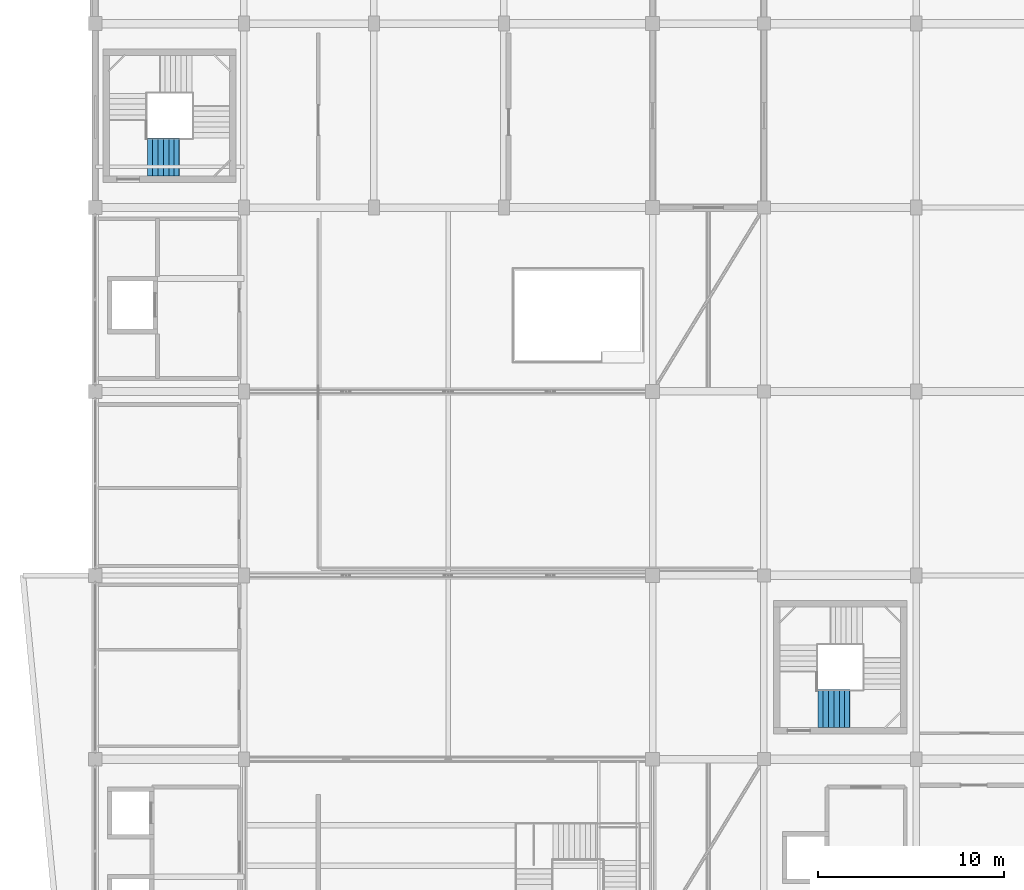
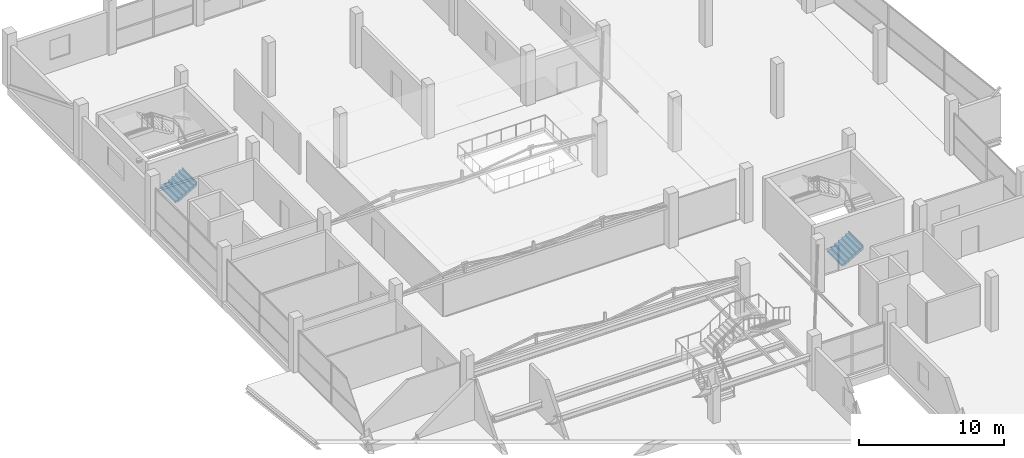
# One storey, part 50 of 55: 2 stair flights, 2 elements without a shape of their own.
"""IFC4 building model written with IfcOpenShell, lengths in metres."""

from ifc_helpers import new_model, si_unit, direction, frame, origin, place, context, subcontext, project, spatial, triangles, material, type_object, element, aggregate, save


model = new_model("IFC4")

# Units and contexts
model_context = context("Model", 3, precision=1e-05, world=origin(), true_north=direction((0.0, 1.0)))
body_context = subcontext(model_context, "Body", "Model", "MODEL_VIEW")
ifc_project = project(units=[si_unit("LENGTHUNIT", "METRE"), si_unit("AREAUNIT", "SQUARE_METRE"), si_unit("VOLUMEUNIT", "CUBIC_METRE"), si_unit("PLANEANGLEUNIT", "RADIAN"), si_unit("MASSUNIT", "GRAM", prefix="KILO")], contexts=[model_context])

# Site, building, storey
site_placement = place(None, origin())
site = spatial("IfcSite", under=ifc_project, at=site_placement, CompositionType="ELEMENT")
building_placement = place(site_placement, origin())
building = spatial("IfcBuilding", under=site, at=building_placement, Name="Sillaruma Civic Art Gallery", CompositionType="ELEMENT")
storey_placement = place(building_placement, frame((0.0, 0.0, 37.739990234375)))
storey = spatial("IfcBuildingStorey", under=building, at=storey_placement, Name="L07", CompositionType="ELEMENT", Elevation=37.739990234375)

# Stair, stair flight
ifc_material = material(Name="Concrete H35 (35 MPa)", Category="concrete")
stair_type = type_object("IfcStairType", Name="STR-4F-27", PredefinedType="USERDEFINED", material=ifc_material)
stair_1_placement = place(storey_placement, origin())
stair_1 = element("IfcStair", 1, at=stair_1_placement, inside=storey, type_object=stair_type, Name="Protected Exit Stair ST-02 (West Bar North) (L07)", ObjectType="THREE_RETURN_STAIR", PredefinedType="USERDEFINED")
stair_flight_type = type_object("IfcStairFlightType", Name="SFL-STR-7", PredefinedType="STRAIGHT", material=ifc_material)
stair_flight_1_placement = place(storey_placement, frame((64.800048828125, 81.929931640625, 0.0), z_axis=(0.0, 0.0, 1.0), x_axis=(1.0, 0.0, 0.0)))
stair_flight_1 = element("IfcStairFlight", 2, at=stair_flight_1_placement, type_object=stair_flight_type, Name="ST-02 flight 1", NumberOfRisers=7, NumberOfTreads=6, PredefinedType="STRAIGHT", RiserHeight=0.17, TreadLength=0.29, context=body_context, shape_type="Tessellation", body=[
    triangles([(0.0, -1.02001953125, 0.0), (0.29, -1.02001953125, 0.0), (0.296404, -1.02001953125, 0.0), (0.58, -1.02001953125, 0.166246), (0.87, -1.02001953125, 0.336246), (1.16, -1.02001953125, 0.506246), (1.45, -1.02001953125, 0.676246), (1.69999, -1.02001953125, 0.822792), (1.73999, -1.02001953125, 0.84624), (1.73999, -1.02001953125, 1.19), (1.69999, -1.02001953125, 1.19), (1.69999, -1.02001953125, 1.02), (1.45, -1.02001953125, 1.02), (1.45, -1.02001953125, 0.85), (1.16, -1.02001953125, 0.85), (1.16, -1.02001953125, 0.68), (0.87, -1.02001953125, 0.68), (0.87, -1.02001953125, 0.51), (0.58, -1.02001953125, 0.51), (0.58, -1.02001953125, 0.34), (0.296404, -1.02001953125, 0.34), (0.29, -1.02001953125, 0.34), (0.29, -1.02001953125, 0.17), (0.0, -1.02001953125, 0.17), (0.0, -0.05, 0.0), (0.29, -0.05, 0.0), (0.296404, -0.05, 0.0), (0.58, -0.05, 0.166246), (0.87, -0.05, 0.336246), (1.16, -0.05, 0.506246), (1.45, -0.05, 0.676246), (1.69999, -0.05, 0.822792), (1.73999, -0.05, 0.84624), (1.73999, -0.05, 1.19), (1.69999, -0.05, 1.19), (1.69999, -0.05, 1.02), (1.45, -0.05, 1.02), (1.45, -0.05, 0.85), (1.16, -0.05, 0.85), (1.16, -0.05, 0.68), (0.87, -0.05, 0.68), (0.87, -0.05, 0.51), (0.58, -0.05, 0.51), (0.58, -0.05, 0.34), (0.296404, -0.05, 0.34), (0.29, -0.05, 0.34), (0.29, -0.05, 0.17), (0.0, -0.05, 0.17), (0.0, -0.0375, 0.0), (0.29, -0.0375, 0.0), (0.296404, -0.0375, 0.0), (0.58, -0.0375, 0.166246), (0.87, -0.0375, 0.336246), (1.16, -0.0375, 0.506246), (1.45, -0.0375, 0.676246), (1.69999, -0.0375, 0.822792), (1.73999, -0.0375, 0.84624), (1.73999, -0.0375, 1.19), (1.69999, -0.0375, 1.19), (1.69999, -0.0375, 1.02), (1.45, -0.0375, 1.02), (1.45, -0.0375, 0.85), (1.16, -0.0375, 0.85), (1.16, -0.0375, 0.68), (0.87, -0.0375, 0.68), (0.87, -0.0375, 0.51), (0.58, -0.0375, 0.51), (0.58, -0.0375, 0.34), (0.296404, -0.0375, 0.34), (0.29, -0.0375, 0.34), (0.29, -0.0375, 0.17), (0.0, -0.0375, 0.17), (0.0, -0.025, 0.0), (0.29, -0.025, 0.0), (0.296404, -0.025, 0.0), (0.58, -0.025, 0.166246), (0.87, -0.025, 0.336246), (1.16, -0.025, 0.506246), (1.45, -0.025, 0.676246), (1.69999, -0.025, 0.822792), (1.73999, -0.025, 0.84624), (1.73999, -0.025, 1.19), (1.69999, -0.025, 1.19), (1.69999, -0.025, 1.02), (1.45, -0.025, 1.02), (1.45, -0.025, 0.85), (1.16, -0.025, 0.85), (1.16, -0.025, 0.68), (0.87, -0.025, 0.68), (0.87, -0.025, 0.51), (0.58, -0.025, 0.51), (0.58, -0.025, 0.34), (0.296404, -0.025, 0.34), (0.29, -0.025, 0.34), (0.29, -0.025, 0.17), (0.0, -0.025, 0.17), (0.0, -0.0125, 0.0), (0.29, -0.0125, 0.0), (0.296404, -0.0125, 0.0), (0.58, -0.0125, 0.166246), (0.87, -0.0125, 0.336246), (1.16, -0.0125, 0.506246), (1.45, -0.0125, 0.676246), (1.69999, -0.0125, 0.822792), (1.73999, -0.0125, 0.84624), (1.73999, -0.0125, 1.19), (1.69999, -0.0125, 1.19), (1.69999, -0.0125, 1.02), (1.45, -0.0125, 1.02), (1.45, -0.0125, 0.85), (1.16, -0.0125, 0.85), (1.16, -0.0125, 0.68), (0.87, -0.0125, 0.68), (0.87, -0.0125, 0.51), (0.58, -0.0125, 0.51), (0.58, -0.0125, 0.34), (0.296404, -0.0125, 0.34), (0.29, -0.0125, 0.34), (0.29, -0.0125, 0.17), (0.0, -0.0125, 0.17), (0.0, 0.0, 0.0), (0.29, 0.0, 0.0), (0.296404, 0.0, 0.0), (0.58, 0.0, 0.166246), (0.87, 0.0, 0.336246), (1.16, 0.0, 0.506246), (1.45, 0.0, 0.676246), (1.69999, 0.0, 0.822792), (1.73999, 0.0, 0.84624), (1.73999, 0.0, 1.19), (1.69999, 0.0, 1.19), (1.69999, 0.0, 1.02), (1.45, 0.0, 1.02), (1.45, 0.0, 0.85), (1.16, 0.0, 0.85), (1.16, 0.0, 0.68), (0.87, 0.0, 0.68), (0.87, 0.0, 0.51), (0.58, 0.0, 0.51), (0.58, 0.0, 0.34), (0.296404, 0.0, 0.34), (0.29, 0.0, 0.34), (0.29, 0.0, 0.17), (0.0, 0.0, 0.17), (0.0, 0.0125, 0.0), (0.29, 0.0125, 0.0), (0.296404, 0.0125, 0.0), (0.58, 0.0125, 0.166246), (0.87, 0.0125, 0.336246), (1.16, 0.0125, 0.506246), (1.45, 0.0125, 0.676246), (1.69999, 0.0125, 0.822792), (1.73999, 0.0125, 0.84624), (1.73999, 0.0125, 1.19), (1.69999, 0.0125, 1.19), (1.69999, 0.0125, 1.02), (1.45, 0.0125, 1.02), (1.45, 0.0125, 0.85), (1.16, 0.0125, 0.85), (1.16, 0.0125, 0.68), (0.87, 0.0125, 0.68), (0.87, 0.0125, 0.51), (0.58, 0.0125, 0.51), (0.58, 0.0125, 0.34), (0.296404, 0.0125, 0.34), (0.29, 0.0125, 0.34), (0.29, 0.0125, 0.17), (0.0, 0.0125, 0.17), (0.0, 0.025, 0.0), (0.29, 0.025, 0.0), (0.296404, 0.025, 0.0), (0.58, 0.025, 0.166246), (0.87, 0.025, 0.336246), (1.16, 0.025, 0.506246), (1.45, 0.025, 0.676246), (1.69999, 0.025, 0.822792), (1.73999, 0.025, 0.84624), (1.73999, 0.025, 1.19), (1.69999, 0.025, 1.19), (1.69999, 0.025, 1.02), (1.45, 0.025, 1.02), (1.45, 0.025, 0.85), (1.16, 0.025, 0.85), (1.16, 0.025, 0.68), (0.87, 0.025, 0.68), (0.87, 0.025, 0.51), (0.58, 0.025, 0.51), (0.58, 0.025, 0.34), (0.296404, 0.025, 0.34), (0.29, 0.025, 0.34), (0.29, 0.025, 0.17), (0.0, 0.025, 0.17), (0.0, 0.0375, 0.0), (0.29, 0.0375, 0.0), (0.296404, 0.0375, 0.0), (0.58, 0.0375, 0.166246), (0.87, 0.0375, 0.336246), (1.16, 0.0375, 0.506246), (1.45, 0.0375, 0.676246), (1.69999, 0.0375, 0.822792), (1.73999, 0.0375, 0.84624), (1.73999, 0.0375, 1.19), (1.69999, 0.0375, 1.19), (1.69999, 0.0375, 1.02), (1.45, 0.0375, 1.02), (1.45, 0.0375, 0.85), (1.16, 0.0375, 0.85), (1.16, 0.0375, 0.68), (0.87, 0.0375, 0.68), (0.87, 0.0375, 0.51), (0.58, 0.0375, 0.51), (0.58, 0.0375, 0.34), (0.296404, 0.0375, 0.34), (0.29, 0.0375, 0.34), (0.29, 0.0375, 0.17), (0.0, 0.0375, 0.17), (0.0, 0.05, 0.0), (0.29, 0.05, 0.0), (0.296404, 0.05, 0.0), (0.58, 0.05, 0.166246), (0.87, 0.05, 0.336246), (1.16, 0.05, 0.506246), (1.45, 0.05, 0.676246), (1.69999, 0.05, 0.822792), (1.73999, 0.05, 0.84624), (1.73999, 0.05, 1.19), (1.69999, 0.05, 1.19), (1.69999, 0.05, 1.02), (1.45, 0.05, 1.02), (1.45, 0.05, 0.85), (1.16, 0.05, 0.85), (1.16, 0.05, 0.68), (0.87, 0.05, 0.68), (0.87, 0.05, 0.51), (0.58, 0.05, 0.51), (0.58, 0.05, 0.34), (0.296404, 0.05, 0.34), (0.29, 0.05, 0.34), (0.29, 0.05, 0.17), (0.0, 0.05, 0.17), (0.0, 1.02001953125, 0.0), (0.29, 1.02001953125, 0.0), (0.296404, 1.02001953125, 0.0), (0.58, 1.02001953125, 0.166246), (0.87, 1.02001953125, 0.336246), (1.16, 1.02001953125, 0.506246), (1.45, 1.02001953125, 0.676246), (1.69999, 1.02001953125, 0.822792), (1.73999, 1.02001953125, 0.84624), (1.73999, 1.02001953125, 1.19), (1.69999, 1.02001953125, 1.19), (1.69999, 1.02001953125, 1.02), (1.45, 1.02001953125, 1.02), (1.45, 1.02001953125, 0.85), (1.16, 1.02001953125, 0.85), (1.16, 1.02001953125, 0.68), (0.87, 1.02001953125, 0.68), (0.87, 1.02001953125, 0.51), (0.58, 1.02001953125, 0.51), (0.58, 1.02001953125, 0.34), (0.296404, 1.02001953125, 0.34), (0.29, 1.02001953125, 0.34), (0.29, 1.02001953125, 0.17), (0.0, 1.02001953125, 0.17)], [[1, 2, 23], [1, 23, 24], [2, 3, 21], [2, 21, 23], [23, 21, 22], [3, 4, 20], [3, 20, 21], [4, 5, 18], [4, 18, 20], [20, 18, 19], [5, 6, 16], [5, 16, 18], [18, 16, 17], [6, 7, 14], [6, 14, 16], [16, 14, 15], [7, 8, 12], [7, 12, 14], [14, 12, 13], [8, 9, 10], [8, 10, 12], [12, 10, 11], [263, 242, 241], [264, 263, 241], [261, 243, 242], [263, 261, 242], [262, 261, 263], [260, 244, 243], [261, 260, 243], [258, 245, 244], [260, 258, 244], [259, 258, 260], [256, 246, 245], [258, 256, 245], [257, 256, 258], [254, 247, 246], [256, 254, 246], [255, 254, 256], [252, 248, 247], [254, 252, 247], [253, 252, 254], [250, 249, 248], [252, 250, 248], [251, 250, 252], [2, 1, 25], [2, 25, 26], [3, 2, 26], [3, 26, 27], [4, 3, 27], [4, 27, 28], [5, 4, 28], [5, 28, 29], [6, 5, 29], [6, 29, 30], [7, 6, 30], [7, 30, 31], [8, 7, 31], [8, 31, 32], [9, 8, 32], [9, 32, 33], [10, 9, 33], [10, 33, 34], [11, 10, 34], [11, 34, 35], [12, 11, 35], [12, 35, 36], [13, 12, 36], [13, 36, 37], [14, 13, 37], [14, 37, 38], [15, 14, 38], [15, 38, 39], [16, 15, 39], [16, 39, 40], [17, 16, 40], [17, 40, 41], [18, 17, 41], [18, 41, 42], [19, 18, 42], [19, 42, 43], [20, 19, 43], [20, 43, 44], [21, 20, 44], [21, 44, 45], [22, 21, 45], [22, 45, 46], [23, 22, 46], [23, 46, 47], [24, 23, 47], [24, 47, 48], [1, 24, 48], [1, 48, 25], [26, 25, 49], [26, 49, 50], [27, 26, 50], [27, 50, 51], [28, 27, 51], [28, 51, 52], [29, 28, 52], [29, 52, 53], [30, 29, 53], [30, 53, 54], [31, 30, 54], [31, 54, 55], [32, 31, 55], [32, 55, 56], [33, 32, 56], [33, 56, 57], [34, 33, 57], [34, 57, 58], [35, 34, 58], [35, 58, 59], [36, 35, 59], [36, 59, 60], [37, 36, 60], [37, 60, 61], [38, 37, 61], [38, 61, 62], [39, 38, 62], [39, 62, 63], [40, 39, 63], [40, 63, 64], [41, 40, 64], [41, 64, 65], [42, 41, 65], [42, 65, 66], [43, 42, 66], [43, 66, 67], [44, 43, 67], [44, 67, 68], [45, 44, 68], [45, 68, 69], [46, 45, 69], [46, 69, 70], [47, 46, 70], [47, 70, 71], [48, 47, 71], [48, 71, 72], [25, 48, 72], [25, 72, 49], [50, 49, 73], [50, 73, 74], [51, 50, 74], [51, 74, 75], [52, 51, 75], [52, 75, 76], [53, 52, 76], [53, 76, 77], [54, 53, 77], [54, 77, 78], [55, 54, 78], [55, 78, 79], [56, 55, 79], [56, 79, 80], [57, 56, 80], [57, 80, 81], [58, 57, 81], [58, 81, 82], [59, 58, 82], [59, 82, 83], [60, 59, 83], [60, 83, 84], [61, 60, 84], [61, 84, 85], [62, 61, 85], [62, 85, 86], [63, 62, 86], [63, 86, 87], [64, 63, 87], [64, 87, 88], [65, 64, 88], [65, 88, 89], [66, 65, 89], [66, 89, 90], [67, 66, 90], [67, 90, 91], [68, 67, 91], [68, 91, 92], [69, 68, 92], [69, 92, 93], [70, 69, 93], [70, 93, 94], [71, 70, 94], [71, 94, 95], [72, 71, 95], [72, 95, 96], [49, 72, 96], [49, 96, 73], [74, 73, 97], [74, 97, 98], [75, 74, 98], [75, 98, 99], [76, 75, 99], [76, 99, 100], [77, 76, 100], [77, 100, 101], [78, 77, 101], [78, 101, 102], [79, 78, 102], [79, 102, 103], [80, 79, 103], [80, 103, 104], [81, 80, 104], [81, 104, 105], [82, 81, 105], [82, 105, 106], [83, 82, 106], [83, 106, 107], [84, 83, 107], [84, 107, 108], [85, 84, 108], [85, 108, 109], [86, 85, 109], [86, 109, 110], [87, 86, 110], [87, 110, 111], [88, 87, 111], [88, 111, 112], [89, 88, 112], [89, 112, 113], [90, 89, 113], [90, 113, 114], [91, 90, 114], [91, 114, 115], [92, 91, 115], [92, 115, 116], [93, 92, 116], [93, 116, 117], [94, 93, 117], [94, 117, 118], [95, 94, 118], [95, 118, 119], [96, 95, 119], [96, 119, 120], [73, 96, 120], [73, 120, 97], [98, 97, 121], [98, 121, 122], [99, 98, 122], [99, 122, 123], [100, 99, 123], [100, 123, 124], [101, 100, 124], [101, 124, 125], [102, 101, 125], [102, 125, 126], [103, 102, 126], [103, 126, 127], [104, 103, 127], [104, 127, 128], [105, 104, 128], [105, 128, 129], [106, 105, 129], [106, 129, 130], [107, 106, 130], [107, 130, 131], [108, 107, 131], [108, 131, 132], [109, 108, 132], [109, 132, 133], [110, 109, 133], [110, 133, 134], [111, 110, 134], [111, 134, 135], [112, 111, 135], [112, 135, 136], [113, 112, 136], [113, 136, 137], [114, 113, 137], [114, 137, 138], [115, 114, 138], [115, 138, 139], [116, 115, 139], [116, 139, 140], [117, 116, 140], [117, 140, 141], [118, 117, 141], [118, 141, 142], [119, 118, 142], [119, 142, 143], [120, 119, 143], [120, 143, 144], [97, 120, 144], [97, 144, 121], [122, 121, 145], [122, 145, 146], [123, 122, 146], [123, 146, 147], [124, 123, 147], [124, 147, 148], [125, 124, 148], [125, 148, 149], [126, 125, 149], [126, 149, 150], [127, 126, 150], [127, 150, 151], [128, 127, 151], [128, 151, 152], [129, 128, 152], [129, 152, 153], [130, 129, 153], [130, 153, 154], [131, 130, 154], [131, 154, 155], [132, 131, 155], [132, 155, 156], [133, 132, 156], [133, 156, 157], [134, 133, 157], [134, 157, 158], [135, 134, 158], [135, 158, 159], [136, 135, 159], [136, 159, 160], [137, 136, 160], [137, 160, 161], [138, 137, 161], [138, 161, 162], [139, 138, 162], [139, 162, 163], [140, 139, 163], [140, 163, 164], [141, 140, 164], [141, 164, 165], [142, 141, 165], [142, 165, 166], [143, 142, 166], [143, 166, 167], [144, 143, 167], [144, 167, 168], [121, 144, 168], [121, 168, 145], [146, 145, 169], [146, 169, 170], [147, 146, 170], [147, 170, 171], [148, 147, 171], [148, 171, 172], [149, 148, 172], [149, 172, 173], [150, 149, 173], [150, 173, 174], [151, 150, 174], [151, 174, 175], [152, 151, 175], [152, 175, 176], [153, 152, 176], [153, 176, 177], [154, 153, 177], [154, 177, 178], [155, 154, 178], [155, 178, 179], [156, 155, 179], [156, 179, 180], [157, 156, 180], [157, 180, 181], [158, 157, 181], [158, 181, 182], [159, 158, 182], [159, 182, 183], [160, 159, 183], [160, 183, 184], [161, 160, 184], [161, 184, 185], [162, 161, 185], [162, 185, 186], [163, 162, 186], [163, 186, 187], [164, 163, 187], [164, 187, 188], [165, 164, 188], [165, 188, 189], [166, 165, 189], [166, 189, 190], [167, 166, 190], [167, 190, 191], [168, 167, 191], [168, 191, 192], [145, 168, 192], [145, 192, 169], [170, 169, 193], [170, 193, 194], [171, 170, 194], [171, 194, 195], [172, 171, 195], [172, 195, 196], [173, 172, 196], [173, 196, 197], [174, 173, 197], [174, 197, 198], [175, 174, 198], [175, 198, 199], [176, 175, 199], [176, 199, 200], [177, 176, 200], [177, 200, 201], [178, 177, 201], [178, 201, 202], [179, 178, 202], [179, 202, 203], [180, 179, 203], [180, 203, 204], [181, 180, 204], [181, 204, 205], [182, 181, 205], [182, 205, 206], [183, 182, 206], [183, 206, 207], [184, 183, 207], [184, 207, 208], [185, 184, 208], [185, 208, 209], [186, 185, 209], [186, 209, 210], [187, 186, 210], [187, 210, 211], [188, 187, 211], [188, 211, 212], [189, 188, 212], [189, 212, 213], [190, 189, 213], [190, 213, 214], [191, 190, 214], [191, 214, 215], [192, 191, 215], [192, 215, 216], [169, 192, 216], [169, 216, 193], [194, 193, 217], [194, 217, 218], [195, 194, 218], [195, 218, 219], [196, 195, 219], [196, 219, 220], [197, 196, 220], [197, 220, 221], [198, 197, 221], [198, 221, 222], [199, 198, 222], [199, 222, 223], [200, 199, 223], [200, 223, 224], [201, 200, 224], [201, 224, 225], [202, 201, 225], [202, 225, 226], [203, 202, 226], [203, 226, 227], [204, 203, 227], [204, 227, 228], [205, 204, 228], [205, 228, 229], [206, 205, 229], [206, 229, 230], [207, 206, 230], [207, 230, 231], [208, 207, 231], [208, 231, 232], [209, 208, 232], [209, 232, 233], [210, 209, 233], [210, 233, 234], [211, 210, 234], [211, 234, 235], [212, 211, 235], [212, 235, 236], [213, 212, 236], [213, 236, 237], [214, 213, 237], [214, 237, 238], [215, 214, 238], [215, 238, 239], [216, 215, 239], [216, 239, 240], [193, 216, 240], [193, 240, 217], [218, 217, 241], [218, 241, 242], [219, 218, 242], [219, 242, 243], [220, 219, 243], [220, 243, 244], [221, 220, 244], [221, 244, 245], [222, 221, 245], [222, 245, 246], [223, 222, 246], [223, 246, 247], [224, 223, 247], [224, 247, 248], [225, 224, 248], [225, 248, 249], [226, 225, 249], [226, 249, 250], [227, 226, 250], [227, 250, 251], [228, 227, 251], [228, 251, 252], [229, 228, 252], [229, 252, 253], [230, 229, 253], [230, 253, 254], [231, 230, 254], [231, 254, 255], [232, 231, 255], [232, 255, 256], [233, 232, 256], [233, 256, 257], [234, 233, 257], [234, 257, 258], [235, 234, 258], [235, 258, 259], [236, 235, 259], [236, 259, 260], [237, 236, 260], [237, 260, 261], [238, 237, 261], [238, 261, 262], [239, 238, 262], [239, 262, 263], [240, 239, 263], [240, 263, 264], [217, 240, 264], [217, 264, 241]], closed=True),
])
aggregate(stair_1, [stair_flight_1])

stair_2_placement = place(storey_placement, origin())
stair_2 = element("IfcStair", 3, at=stair_2_placement, inside=storey, type_object=stair_type, Name="Protected Exit Stair ST-04 (East Bar) (L07)", ObjectType="THREE_RETURN_STAIR", PredefinedType="USERDEFINED")
stair_flight_2_placement = place(storey_placement, frame((100.89990234375, 52.22998046875, 0.0), z_axis=(0.0, 0.0, 1.0), x_axis=(1.0, 0.0, 0.0)))
stair_flight_2 = element("IfcStairFlight", 4, at=stair_flight_2_placement, type_object=stair_flight_type, Name="ST-04 flight 1", NumberOfRisers=7, NumberOfTreads=6, PredefinedType="STRAIGHT", RiserHeight=0.17, TreadLength=0.29, context=body_context, shape_type="Tessellation", body=[
    triangles([(0.0, -1.02001953125, 0.0), (0.29, -1.02001953125, 0.0), (0.296404, -1.02001953125, 0.0), (0.58, -1.02001953125, 0.166246), (0.87, -1.02001953125, 0.336246), (1.16, -1.02001953125, 0.506246), (1.45, -1.02001953125, 0.676246), (1.69999, -1.02001953125, 0.822792), (1.73999, -1.02001953125, 0.84624), (1.73999, -1.02001953125, 1.19), (1.69999, -1.02001953125, 1.19), (1.69999, -1.02001953125, 1.02), (1.45, -1.02001953125, 1.02), (1.45, -1.02001953125, 0.85), (1.16, -1.02001953125, 0.85), (1.16, -1.02001953125, 0.68), (0.87, -1.02001953125, 0.68), (0.87, -1.02001953125, 0.51), (0.58, -1.02001953125, 0.51), (0.58, -1.02001953125, 0.34), (0.296404, -1.02001953125, 0.34), (0.29, -1.02001953125, 0.34), (0.29, -1.02001953125, 0.17), (0.0, -1.02001953125, 0.17), (0.0, -0.05, 0.0), (0.29, -0.05, 0.0), (0.296404, -0.05, 0.0), (0.58, -0.05, 0.166246), (0.87, -0.05, 0.336246), (1.16, -0.05, 0.506246), (1.45, -0.05, 0.676246), (1.69999, -0.05, 0.822792), (1.73999, -0.05, 0.84624), (1.73999, -0.05, 1.19), (1.69999, -0.05, 1.19), (1.69999, -0.05, 1.02), (1.45, -0.05, 1.02), (1.45, -0.05, 0.85), (1.16, -0.05, 0.85), (1.16, -0.05, 0.68), (0.87, -0.05, 0.68), (0.87, -0.05, 0.51), (0.58, -0.05, 0.51), (0.58, -0.05, 0.34), (0.296404, -0.05, 0.34), (0.29, -0.05, 0.34), (0.29, -0.05, 0.17), (0.0, -0.05, 0.17), (0.0, -0.0375, 0.0), (0.29, -0.0375, 0.0), (0.296404, -0.0375, 0.0), (0.58, -0.0375, 0.166246), (0.87, -0.0375, 0.336246), (1.16, -0.0375, 0.506246), (1.45, -0.0375, 0.676246), (1.69999, -0.0375, 0.822792), (1.73999, -0.0375, 0.84624), (1.73999, -0.0375, 1.19), (1.69999, -0.0375, 1.19), (1.69999, -0.0375, 1.02), (1.45, -0.0375, 1.02), (1.45, -0.0375, 0.85), (1.16, -0.0375, 0.85), (1.16, -0.0375, 0.68), (0.87, -0.0375, 0.68), (0.87, -0.0375, 0.51), (0.58, -0.0375, 0.51), (0.58, -0.0375, 0.34), (0.296404, -0.0375, 0.34), (0.29, -0.0375, 0.34), (0.29, -0.0375, 0.17), (0.0, -0.0375, 0.17), (0.0, -0.025, 0.0), (0.29, -0.025, 0.0), (0.296404, -0.025, 0.0), (0.58, -0.025, 0.166246), (0.87, -0.025, 0.336246), (1.16, -0.025, 0.506246), (1.45, -0.025, 0.676246), (1.69999, -0.025, 0.822792), (1.73999, -0.025, 0.84624), (1.73999, -0.025, 1.19), (1.69999, -0.025, 1.19), (1.69999, -0.025, 1.02), (1.45, -0.025, 1.02), (1.45, -0.025, 0.85), (1.16, -0.025, 0.85), (1.16, -0.025, 0.68), (0.87, -0.025, 0.68), (0.87, -0.025, 0.51), (0.58, -0.025, 0.51), (0.58, -0.025, 0.34), (0.296404, -0.025, 0.34), (0.29, -0.025, 0.34), (0.29, -0.025, 0.17), (0.0, -0.025, 0.17), (0.0, -0.0125, 0.0), (0.29, -0.0125, 0.0), (0.296404, -0.0125, 0.0), (0.58, -0.0125, 0.166246), (0.87, -0.0125, 0.336246), (1.16, -0.0125, 0.506246), (1.45, -0.0125, 0.676246), (1.69999, -0.0125, 0.822792), (1.73999, -0.0125, 0.84624), (1.73999, -0.0125, 1.19), (1.69999, -0.0125, 1.19), (1.69999, -0.0125, 1.02), (1.45, -0.0125, 1.02), (1.45, -0.0125, 0.85), (1.16, -0.0125, 0.85), (1.16, -0.0125, 0.68), (0.87, -0.0125, 0.68), (0.87, -0.0125, 0.51), (0.58, -0.0125, 0.51), (0.58, -0.0125, 0.34), (0.296404, -0.0125, 0.34), (0.29, -0.0125, 0.34), (0.29, -0.0125, 0.17), (0.0, -0.0125, 0.17), (0.0, 0.0, 0.0), (0.29, 0.0, 0.0), (0.296404, 0.0, 0.0), (0.58, 0.0, 0.166246), (0.87, 0.0, 0.336246), (1.16, 0.0, 0.506246), (1.45, 0.0, 0.676246), (1.69999, 0.0, 0.822792), (1.73999, 0.0, 0.84624), (1.73999, 0.0, 1.19), (1.69999, 0.0, 1.19), (1.69999, 0.0, 1.02), (1.45, 0.0, 1.02), (1.45, 0.0, 0.85), (1.16, 0.0, 0.85), (1.16, 0.0, 0.68), (0.87, 0.0, 0.68), (0.87, 0.0, 0.51), (0.58, 0.0, 0.51), (0.58, 0.0, 0.34), (0.296404, 0.0, 0.34), (0.29, 0.0, 0.34), (0.29, 0.0, 0.17), (0.0, 0.0, 0.17), (0.0, 0.0125, 0.0), (0.29, 0.0125, 0.0), (0.296404, 0.0125, 0.0), (0.58, 0.0125, 0.166246), (0.87, 0.0125, 0.336246), (1.16, 0.0125, 0.506246), (1.45, 0.0125, 0.676246), (1.69999, 0.0125, 0.822792), (1.73999, 0.0125, 0.84624), (1.73999, 0.0125, 1.19), (1.69999, 0.0125, 1.19), (1.69999, 0.0125, 1.02), (1.45, 0.0125, 1.02), (1.45, 0.0125, 0.85), (1.16, 0.0125, 0.85), (1.16, 0.0125, 0.68), (0.87, 0.0125, 0.68), (0.87, 0.0125, 0.51), (0.58, 0.0125, 0.51), (0.58, 0.0125, 0.34), (0.296404, 0.0125, 0.34), (0.29, 0.0125, 0.34), (0.29, 0.0125, 0.17), (0.0, 0.0125, 0.17), (0.0, 0.025, 0.0), (0.29, 0.025, 0.0), (0.296404, 0.025, 0.0), (0.58, 0.025, 0.166246), (0.87, 0.025, 0.336246), (1.16, 0.025, 0.506246), (1.45, 0.025, 0.676246), (1.69999, 0.025, 0.822792), (1.73999, 0.025, 0.84624), (1.73999, 0.025, 1.19), (1.69999, 0.025, 1.19), (1.69999, 0.025, 1.02), (1.45, 0.025, 1.02), (1.45, 0.025, 0.85), (1.16, 0.025, 0.85), (1.16, 0.025, 0.68), (0.87, 0.025, 0.68), (0.87, 0.025, 0.51), (0.58, 0.025, 0.51), (0.58, 0.025, 0.34), (0.296404, 0.025, 0.34), (0.29, 0.025, 0.34), (0.29, 0.025, 0.17), (0.0, 0.025, 0.17), (0.0, 0.0375, 0.0), (0.29, 0.0375, 0.0), (0.296404, 0.0375, 0.0), (0.58, 0.0375, 0.166246), (0.87, 0.0375, 0.336246), (1.16, 0.0375, 0.506246), (1.45, 0.0375, 0.676246), (1.69999, 0.0375, 0.822792), (1.73999, 0.0375, 0.84624), (1.73999, 0.0375, 1.19), (1.69999, 0.0375, 1.19), (1.69999, 0.0375, 1.02), (1.45, 0.0375, 1.02), (1.45, 0.0375, 0.85), (1.16, 0.0375, 0.85), (1.16, 0.0375, 0.68), (0.87, 0.0375, 0.68), (0.87, 0.0375, 0.51), (0.58, 0.0375, 0.51), (0.58, 0.0375, 0.34), (0.296404, 0.0375, 0.34), (0.29, 0.0375, 0.34), (0.29, 0.0375, 0.17), (0.0, 0.0375, 0.17), (0.0, 0.05, 0.0), (0.29, 0.05, 0.0), (0.296404, 0.05, 0.0), (0.58, 0.05, 0.166246), (0.87, 0.05, 0.336246), (1.16, 0.05, 0.506246), (1.45, 0.05, 0.676246), (1.69999, 0.05, 0.822792), (1.73999, 0.05, 0.84624), (1.73999, 0.05, 1.19), (1.69999, 0.05, 1.19), (1.69999, 0.05, 1.02), (1.45, 0.05, 1.02), (1.45, 0.05, 0.85), (1.16, 0.05, 0.85), (1.16, 0.05, 0.68), (0.87, 0.05, 0.68), (0.87, 0.05, 0.51), (0.58, 0.05, 0.51), (0.58, 0.05, 0.34), (0.296404, 0.05, 0.34), (0.29, 0.05, 0.34), (0.29, 0.05, 0.17), (0.0, 0.05, 0.17), (0.0, 1.02001953125, 0.0), (0.29, 1.02001953125, 0.0), (0.296404, 1.02001953125, 0.0), (0.58, 1.02001953125, 0.166246), (0.87, 1.02001953125, 0.336246), (1.16, 1.02001953125, 0.506246), (1.45, 1.02001953125, 0.676246), (1.69999, 1.02001953125, 0.822792), (1.73999, 1.02001953125, 0.84624), (1.73999, 1.02001953125, 1.19), (1.69999, 1.02001953125, 1.19), (1.69999, 1.02001953125, 1.02), (1.45, 1.02001953125, 1.02), (1.45, 1.02001953125, 0.85), (1.16, 1.02001953125, 0.85), (1.16, 1.02001953125, 0.68), (0.87, 1.02001953125, 0.68), (0.87, 1.02001953125, 0.51), (0.58, 1.02001953125, 0.51), (0.58, 1.02001953125, 0.34), (0.296404, 1.02001953125, 0.34), (0.29, 1.02001953125, 0.34), (0.29, 1.02001953125, 0.17), (0.0, 1.02001953125, 0.17)], [[1, 2, 23], [1, 23, 24], [2, 3, 21], [2, 21, 23], [23, 21, 22], [3, 4, 20], [3, 20, 21], [4, 5, 18], [4, 18, 20], [20, 18, 19], [5, 6, 16], [5, 16, 18], [18, 16, 17], [6, 7, 14], [6, 14, 16], [16, 14, 15], [7, 8, 12], [7, 12, 14], [14, 12, 13], [8, 9, 10], [8, 10, 12], [12, 10, 11], [263, 242, 241], [264, 263, 241], [261, 243, 242], [263, 261, 242], [262, 261, 263], [260, 244, 243], [261, 260, 243], [258, 245, 244], [260, 258, 244], [259, 258, 260], [256, 246, 245], [258, 256, 245], [257, 256, 258], [254, 247, 246], [256, 254, 246], [255, 254, 256], [252, 248, 247], [254, 252, 247], [253, 252, 254], [250, 249, 248], [252, 250, 248], [251, 250, 252], [2, 1, 25], [2, 25, 26], [3, 2, 26], [3, 26, 27], [4, 3, 27], [4, 27, 28], [5, 4, 28], [5, 28, 29], [6, 5, 29], [6, 29, 30], [7, 6, 30], [7, 30, 31], [8, 7, 31], [8, 31, 32], [9, 8, 32], [9, 32, 33], [10, 9, 33], [10, 33, 34], [11, 10, 34], [11, 34, 35], [12, 11, 35], [12, 35, 36], [13, 12, 36], [13, 36, 37], [14, 13, 37], [14, 37, 38], [15, 14, 38], [15, 38, 39], [16, 15, 39], [16, 39, 40], [17, 16, 40], [17, 40, 41], [18, 17, 41], [18, 41, 42], [19, 18, 42], [19, 42, 43], [20, 19, 43], [20, 43, 44], [21, 20, 44], [21, 44, 45], [22, 21, 45], [22, 45, 46], [23, 22, 46], [23, 46, 47], [24, 23, 47], [24, 47, 48], [1, 24, 48], [1, 48, 25], [26, 25, 49], [26, 49, 50], [27, 26, 50], [27, 50, 51], [28, 27, 51], [28, 51, 52], [29, 28, 52], [29, 52, 53], [30, 29, 53], [30, 53, 54], [31, 30, 54], [31, 54, 55], [32, 31, 55], [32, 55, 56], [33, 32, 56], [33, 56, 57], [34, 33, 57], [34, 57, 58], [35, 34, 58], [35, 58, 59], [36, 35, 59], [36, 59, 60], [37, 36, 60], [37, 60, 61], [38, 37, 61], [38, 61, 62], [39, 38, 62], [39, 62, 63], [40, 39, 63], [40, 63, 64], [41, 40, 64], [41, 64, 65], [42, 41, 65], [42, 65, 66], [43, 42, 66], [43, 66, 67], [44, 43, 67], [44, 67, 68], [45, 44, 68], [45, 68, 69], [46, 45, 69], [46, 69, 70], [47, 46, 70], [47, 70, 71], [48, 47, 71], [48, 71, 72], [25, 48, 72], [25, 72, 49], [50, 49, 73], [50, 73, 74], [51, 50, 74], [51, 74, 75], [52, 51, 75], [52, 75, 76], [53, 52, 76], [53, 76, 77], [54, 53, 77], [54, 77, 78], [55, 54, 78], [55, 78, 79], [56, 55, 79], [56, 79, 80], [57, 56, 80], [57, 80, 81], [58, 57, 81], [58, 81, 82], [59, 58, 82], [59, 82, 83], [60, 59, 83], [60, 83, 84], [61, 60, 84], [61, 84, 85], [62, 61, 85], [62, 85, 86], [63, 62, 86], [63, 86, 87], [64, 63, 87], [64, 87, 88], [65, 64, 88], [65, 88, 89], [66, 65, 89], [66, 89, 90], [67, 66, 90], [67, 90, 91], [68, 67, 91], [68, 91, 92], [69, 68, 92], [69, 92, 93], [70, 69, 93], [70, 93, 94], [71, 70, 94], [71, 94, 95], [72, 71, 95], [72, 95, 96], [49, 72, 96], [49, 96, 73], [74, 73, 97], [74, 97, 98], [75, 74, 98], [75, 98, 99], [76, 75, 99], [76, 99, 100], [77, 76, 100], [77, 100, 101], [78, 77, 101], [78, 101, 102], [79, 78, 102], [79, 102, 103], [80, 79, 103], [80, 103, 104], [81, 80, 104], [81, 104, 105], [82, 81, 105], [82, 105, 106], [83, 82, 106], [83, 106, 107], [84, 83, 107], [84, 107, 108], [85, 84, 108], [85, 108, 109], [86, 85, 109], [86, 109, 110], [87, 86, 110], [87, 110, 111], [88, 87, 111], [88, 111, 112], [89, 88, 112], [89, 112, 113], [90, 89, 113], [90, 113, 114], [91, 90, 114], [91, 114, 115], [92, 91, 115], [92, 115, 116], [93, 92, 116], [93, 116, 117], [94, 93, 117], [94, 117, 118], [95, 94, 118], [95, 118, 119], [96, 95, 119], [96, 119, 120], [73, 96, 120], [73, 120, 97], [98, 97, 121], [98, 121, 122], [99, 98, 122], [99, 122, 123], [100, 99, 123], [100, 123, 124], [101, 100, 124], [101, 124, 125], [102, 101, 125], [102, 125, 126], [103, 102, 126], [103, 126, 127], [104, 103, 127], [104, 127, 128], [105, 104, 128], [105, 128, 129], [106, 105, 129], [106, 129, 130], [107, 106, 130], [107, 130, 131], [108, 107, 131], [108, 131, 132], [109, 108, 132], [109, 132, 133], [110, 109, 133], [110, 133, 134], [111, 110, 134], [111, 134, 135], [112, 111, 135], [112, 135, 136], [113, 112, 136], [113, 136, 137], [114, 113, 137], [114, 137, 138], [115, 114, 138], [115, 138, 139], [116, 115, 139], [116, 139, 140], [117, 116, 140], [117, 140, 141], [118, 117, 141], [118, 141, 142], [119, 118, 142], [119, 142, 143], [120, 119, 143], [120, 143, 144], [97, 120, 144], [97, 144, 121], [122, 121, 145], [122, 145, 146], [123, 122, 146], [123, 146, 147], [124, 123, 147], [124, 147, 148], [125, 124, 148], [125, 148, 149], [126, 125, 149], [126, 149, 150], [127, 126, 150], [127, 150, 151], [128, 127, 151], [128, 151, 152], [129, 128, 152], [129, 152, 153], [130, 129, 153], [130, 153, 154], [131, 130, 154], [131, 154, 155], [132, 131, 155], [132, 155, 156], [133, 132, 156], [133, 156, 157], [134, 133, 157], [134, 157, 158], [135, 134, 158], [135, 158, 159], [136, 135, 159], [136, 159, 160], [137, 136, 160], [137, 160, 161], [138, 137, 161], [138, 161, 162], [139, 138, 162], [139, 162, 163], [140, 139, 163], [140, 163, 164], [141, 140, 164], [141, 164, 165], [142, 141, 165], [142, 165, 166], [143, 142, 166], [143, 166, 167], [144, 143, 167], [144, 167, 168], [121, 144, 168], [121, 168, 145], [146, 145, 169], [146, 169, 170], [147, 146, 170], [147, 170, 171], [148, 147, 171], [148, 171, 172], [149, 148, 172], [149, 172, 173], [150, 149, 173], [150, 173, 174], [151, 150, 174], [151, 174, 175], [152, 151, 175], [152, 175, 176], [153, 152, 176], [153, 176, 177], [154, 153, 177], [154, 177, 178], [155, 154, 178], [155, 178, 179], [156, 155, 179], [156, 179, 180], [157, 156, 180], [157, 180, 181], [158, 157, 181], [158, 181, 182], [159, 158, 182], [159, 182, 183], [160, 159, 183], [160, 183, 184], [161, 160, 184], [161, 184, 185], [162, 161, 185], [162, 185, 186], [163, 162, 186], [163, 186, 187], [164, 163, 187], [164, 187, 188], [165, 164, 188], [165, 188, 189], [166, 165, 189], [166, 189, 190], [167, 166, 190], [167, 190, 191], [168, 167, 191], [168, 191, 192], [145, 168, 192], [145, 192, 169], [170, 169, 193], [170, 193, 194], [171, 170, 194], [171, 194, 195], [172, 171, 195], [172, 195, 196], [173, 172, 196], [173, 196, 197], [174, 173, 197], [174, 197, 198], [175, 174, 198], [175, 198, 199], [176, 175, 199], [176, 199, 200], [177, 176, 200], [177, 200, 201], [178, 177, 201], [178, 201, 202], [179, 178, 202], [179, 202, 203], [180, 179, 203], [180, 203, 204], [181, 180, 204], [181, 204, 205], [182, 181, 205], [182, 205, 206], [183, 182, 206], [183, 206, 207], [184, 183, 207], [184, 207, 208], [185, 184, 208], [185, 208, 209], [186, 185, 209], [186, 209, 210], [187, 186, 210], [187, 210, 211], [188, 187, 211], [188, 211, 212], [189, 188, 212], [189, 212, 213], [190, 189, 213], [190, 213, 214], [191, 190, 214], [191, 214, 215], [192, 191, 215], [192, 215, 216], [169, 192, 216], [169, 216, 193], [194, 193, 217], [194, 217, 218], [195, 194, 218], [195, 218, 219], [196, 195, 219], [196, 219, 220], [197, 196, 220], [197, 220, 221], [198, 197, 221], [198, 221, 222], [199, 198, 222], [199, 222, 223], [200, 199, 223], [200, 223, 224], [201, 200, 224], [201, 224, 225], [202, 201, 225], [202, 225, 226], [203, 202, 226], [203, 226, 227], [204, 203, 227], [204, 227, 228], [205, 204, 228], [205, 228, 229], [206, 205, 229], [206, 229, 230], [207, 206, 230], [207, 230, 231], [208, 207, 231], [208, 231, 232], [209, 208, 232], [209, 232, 233], [210, 209, 233], [210, 233, 234], [211, 210, 234], [211, 234, 235], [212, 211, 235], [212, 235, 236], [213, 212, 236], [213, 236, 237], [214, 213, 237], [214, 237, 238], [215, 214, 238], [215, 238, 239], [216, 215, 239], [216, 239, 240], [193, 216, 240], [193, 240, 217], [218, 217, 241], [218, 241, 242], [219, 218, 242], [219, 242, 243], [220, 219, 243], [220, 243, 244], [221, 220, 244], [221, 244, 245], [222, 221, 245], [222, 245, 246], [223, 222, 246], [223, 246, 247], [224, 223, 247], [224, 247, 248], [225, 224, 248], [225, 248, 249], [226, 225, 249], [226, 249, 250], [227, 226, 250], [227, 250, 251], [228, 227, 251], [228, 251, 252], [229, 228, 252], [229, 252, 253], [230, 229, 253], [230, 253, 254], [231, 230, 254], [231, 254, 255], [232, 231, 255], [232, 255, 256], [233, 232, 256], [233, 256, 257], [234, 233, 257], [234, 257, 258], [235, 234, 258], [235, 258, 259], [236, 235, 259], [236, 259, 260], [237, 236, 260], [237, 260, 261], [238, 237, 261], [238, 261, 262], [239, 238, 262], [239, 262, 263], [240, 239, 263], [240, 263, 264], [217, 240, 264], [217, 264, 241]], closed=True),
])
aggregate(stair_2, [stair_flight_2])

save(model, "model.ifc")
